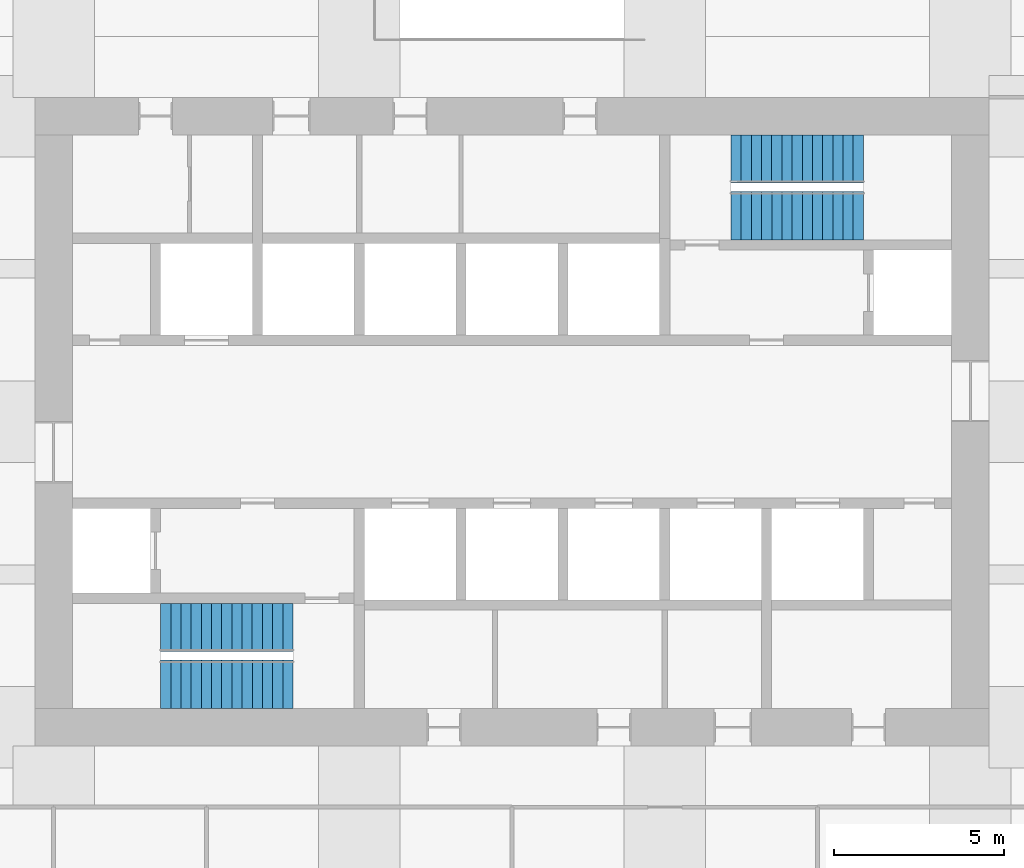
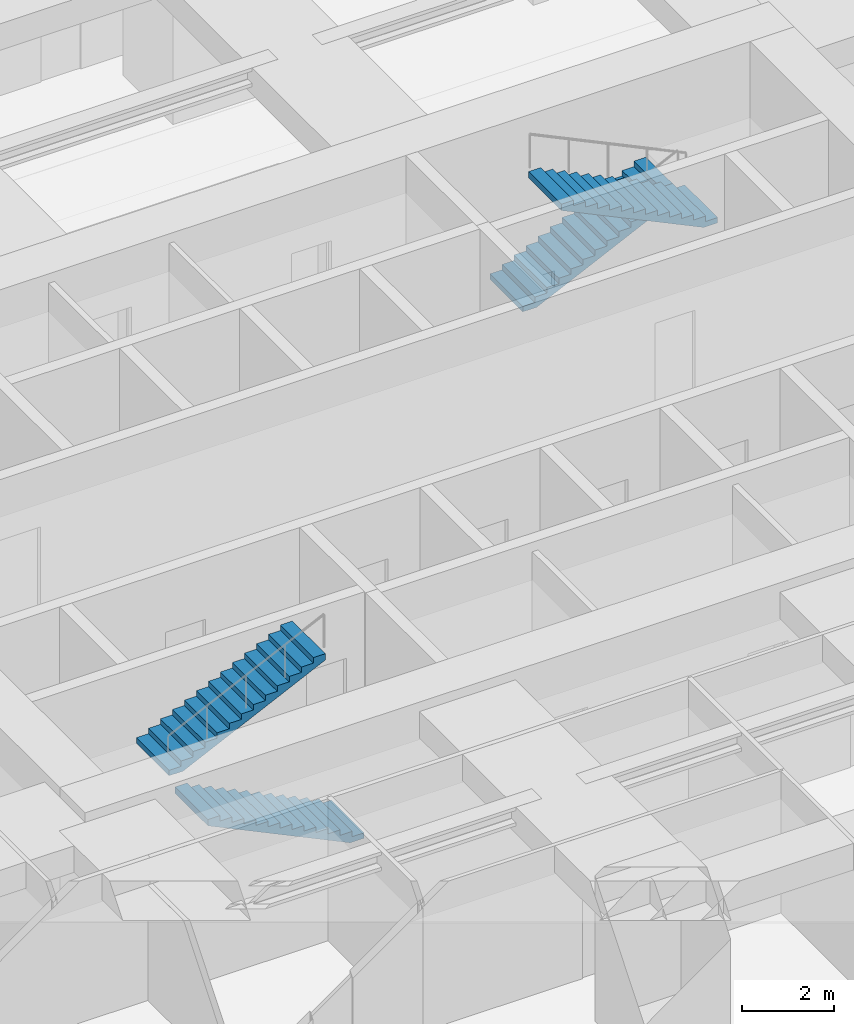
# One storey, part 42 of 44: 4 stair flights, 2 elements without a shape of their own.
"""IFC4 building model written with IfcOpenShell, lengths in metres."""

from ifc_helpers import new_model, si_unit, direction, frame, origin, place, context, subcontext, project, spatial, polyline, outline, extrude, material, type_object, element, aggregate, save


model = new_model("IFC4")

# Units and contexts
model_context = context("Model", 3, precision=1e-05, world=origin(), true_north=direction((0.0, 1.0)))
body_context = subcontext(model_context, "Body", "Model", "MODEL_VIEW")
ifc_project = project(units=[si_unit("LENGTHUNIT", "METRE"), si_unit("AREAUNIT", "SQUARE_METRE"), si_unit("VOLUMEUNIT", "CUBIC_METRE"), si_unit("PLANEANGLEUNIT", "RADIAN"), si_unit("MASSUNIT", "GRAM", prefix="KILO")], contexts=[model_context])

# Site, building, storey
site_placement = place(None, origin())
site = spatial("IfcSite", under=ifc_project, at=site_placement, CompositionType="ELEMENT")
building_placement = place(site_placement, origin())
building = spatial("IfcBuilding", under=site, at=building_placement, Name="Zorevar Civic Tower", CompositionType="ELEMENT")
storey_placement = place(building_placement, frame((0.0, 0.0, 63.800048828125)))
storey = spatial("IfcBuildingStorey", under=building, at=storey_placement, Name="L15", CompositionType="ELEMENT", Elevation=63.800048828125)

# Stair, stair flights
ifc_material_1 = material(Name="Precast concrete C40/50", Category="concrete")
stair_type = type_object("IfcStairType", Name="Stair ST 28R", PredefinedType="HALF_TURN_STAIR", material=ifc_material_1)
stair_1_placement = place(storey_placement, origin())
stair_1 = element("IfcStair", 1, at=stair_1_placement, inside=storey, type_object=stair_type, Name="Stair ST1 L15", PredefinedType="HALF_TURN_STAIR")
ifc_material_2 = material(Name="Precast concrete C40/50", Category="concrete")
stair_flight_type = type_object("IfcStairFlightType", Name="Stair flight", PredefinedType="STRAIGHT", material=ifc_material_2)
stair_flight_1_placement = place(storey_placement, frame((25.050048828125, 19.262451171875, 0.0), z_axis=(0.0, 0.0, 1.0), x_axis=(-1.0, 0.0, 0.0)))
stair_flight_1 = element("IfcStairFlight", 2, at=stair_flight_1_placement, type_object=stair_flight_type, Name="ST1 flight 1", NumberOfRisers=14, NumberOfTreads=13, PredefinedType="STRAIGHT", RiserHeight=0.142857143, TreadLength=0.3, context=body_context, shape_type="SweptSolid", body=[
    extrude(outline(polyline([(0.0, 0.0), (0.0, 0.142822265625), (0.300048828125, 0.142822265625), (0.300048828125, 0.28564453125), (0.60009765625, 0.28564453125), (0.60009765625, 0.428466796875), (0.89990234375, 0.428466796875), (0.89990234375, 0.571533203125), (1.199951171875, 0.571533203125), (1.199951171875, 0.71435546875), (1.5, 0.71435546875), (1.5, 0.857177734375), (1.800048828125, 0.857177734375), (1.800048828125, 1.0), (2.10009765625, 1.0), (2.10009765625, 1.142822265625), (2.39990234375, 1.142822265625), (2.39990234375, 1.28564453125), (2.699951171875, 1.28564453125), (2.699951171875, 1.428466796875), (3.0, 1.428466796875), (3.0, 1.571533203125), (3.300048828125, 1.571533203125), (3.300048828125, 1.71435546875), (3.60009765625, 1.71435546875), (3.60009765625, 1.857177734375), (3.89990234375, 1.857177734375), (3.89990234375, 2.0), (3.89990234375, 1.691162109375), (0.3486328125, 0.0), (0.0, 0.0)])), frame((0.0, 0.71240234375, 0.0), z_axis=(0.0, -1.0, 0.0), x_axis=(1.0, 0.0, 0.0)), (0.0, 0.0, 1.0), 1.425048828125),
])
stair_flight_2_placement = place(storey_placement, frame((21.14990234375, 20.9375, 2.0), z_axis=(0.0, 0.0, 1.0), x_axis=(1.0, 0.0, 0.0)))
stair_flight_2 = element("IfcStairFlight", 3, at=stair_flight_2_placement, type_object=stair_flight_type, Name="ST1 flight 2", NumberOfRisers=14, NumberOfTreads=13, PredefinedType="STRAIGHT", RiserHeight=0.142857143, TreadLength=0.3, context=body_context, shape_type="SweptSolid", body=[
    extrude(outline(polyline([(0.0, 0.0), (0.0, 0.142822265625), (0.300048828125, 0.142822265625), (0.300048828125, 0.28564453125), (0.60009765625, 0.28564453125), (0.60009765625, 0.428466796875), (0.89990234375, 0.428466796875), (0.89990234375, 0.571533203125), (1.199951171875, 0.571533203125), (1.199951171875, 0.71435546875), (1.5, 0.71435546875), (1.5, 0.857177734375), (1.800048828125, 0.857177734375), (1.800048828125, 1.0), (2.10009765625, 1.0), (2.10009765625, 1.142822265625), (2.39990234375, 1.142822265625), (2.39990234375, 1.28564453125), (2.699951171875, 1.28564453125), (2.699951171875, 1.428466796875), (3.0, 1.428466796875), (3.0, 1.571533203125), (3.300048828125, 1.571533203125), (3.300048828125, 1.71435546875), (3.60009765625, 1.71435546875), (3.60009765625, 1.857177734375), (3.89990234375, 1.857177734375), (3.89990234375, 2.0), (3.89990234375, 1.691162109375), (0.3486328125, 0.0), (0.0, 0.0)])), frame((0.0, 0.71240234375, 0.0), z_axis=(0.0, -1.0, 0.0), x_axis=(1.0, 0.0, 0.0)), (0.0, 0.0, 1.0), 1.425048828125),
])
aggregate(stair_1, [stair_flight_1, stair_flight_2])

stair_2_placement = place(storey_placement, origin())
stair_2 = element("IfcStair", 4, at=stair_2_placement, inside=storey, type_object=stair_type, Name="Stair ST2 L15", PredefinedType="HALF_TURN_STAIR")
stair_flight_3_placement = place(storey_placement, frame((37.949951171875, 34.737548828125, 0.0), z_axis=(0.0, 0.0, 1.0), x_axis=(1.0, 0.0, 0.0)))
stair_flight_3 = element("IfcStairFlight", 5, at=stair_flight_3_placement, type_object=stair_flight_type, Name="ST2 flight 1", NumberOfRisers=14, NumberOfTreads=13, PredefinedType="STRAIGHT", RiserHeight=0.142857143, TreadLength=0.3, context=body_context, shape_type="SweptSolid", body=[
    extrude(outline(polyline([(0.0, 0.0), (0.0, 0.142822265625), (0.300048828125, 0.142822265625), (0.300048828125, 0.28564453125), (0.60009765625, 0.28564453125), (0.60009765625, 0.428466796875), (0.89990234375, 0.428466796875), (0.89990234375, 0.571533203125), (1.199951171875, 0.571533203125), (1.199951171875, 0.71435546875), (1.5, 0.71435546875), (1.5, 0.857177734375), (1.800048828125, 0.857177734375), (1.800048828125, 1.0), (2.10009765625, 1.0), (2.10009765625, 1.142822265625), (2.39990234375, 1.142822265625), (2.39990234375, 1.28564453125), (2.699951171875, 1.28564453125), (2.699951171875, 1.428466796875), (3.0, 1.428466796875), (3.0, 1.571533203125), (3.300048828125, 1.571533203125), (3.300048828125, 1.71435546875), (3.60009765625, 1.71435546875), (3.60009765625, 1.857177734375), (3.89990234375, 1.857177734375), (3.89990234375, 2.0), (3.89990234375, 1.691162109375), (0.3486328125, 0.0), (0.0, 0.0)])), frame((0.0, 0.71240234375, 0.0), z_axis=(0.0, -1.0, 0.0), x_axis=(1.0, 0.0, 0.0)), (0.0, 0.0, 1.0), 1.425048828125),
])
stair_flight_4_placement = place(storey_placement, frame((41.85009765625, 33.0625, 2.0), z_axis=(0.0, 0.0, 1.0), x_axis=(-1.0, 0.0, 0.0)))
stair_flight_4 = element("IfcStairFlight", 6, at=stair_flight_4_placement, type_object=stair_flight_type, Name="ST2 flight 2", NumberOfRisers=14, NumberOfTreads=13, PredefinedType="STRAIGHT", RiserHeight=0.142857143, TreadLength=0.3, context=body_context, shape_type="SweptSolid", body=[
    extrude(outline(polyline([(0.0, 0.0), (0.0, 0.142822265625), (0.300048828125, 0.142822265625), (0.300048828125, 0.28564453125), (0.60009765625, 0.28564453125), (0.60009765625, 0.428466796875), (0.89990234375, 0.428466796875), (0.89990234375, 0.571533203125), (1.199951171875, 0.571533203125), (1.199951171875, 0.71435546875), (1.5, 0.71435546875), (1.5, 0.857177734375), (1.800048828125, 0.857177734375), (1.800048828125, 1.0), (2.10009765625, 1.0), (2.10009765625, 1.142822265625), (2.39990234375, 1.142822265625), (2.39990234375, 1.28564453125), (2.699951171875, 1.28564453125), (2.699951171875, 1.428466796875), (3.0, 1.428466796875), (3.0, 1.571533203125), (3.300048828125, 1.571533203125), (3.300048828125, 1.71435546875), (3.60009765625, 1.71435546875), (3.60009765625, 1.857177734375), (3.89990234375, 1.857177734375), (3.89990234375, 2.0), (3.89990234375, 1.691162109375), (0.3486328125, 0.0), (0.0, 0.0)])), frame((0.0, 0.71240234375, 0.0), z_axis=(0.0, -1.0, 0.0), x_axis=(1.0, 0.0, 0.0)), (0.0, 0.0, 1.0), 1.425048828125),
])
aggregate(stair_2, [stair_flight_3, stair_flight_4])

save(model, "model.ifc")
